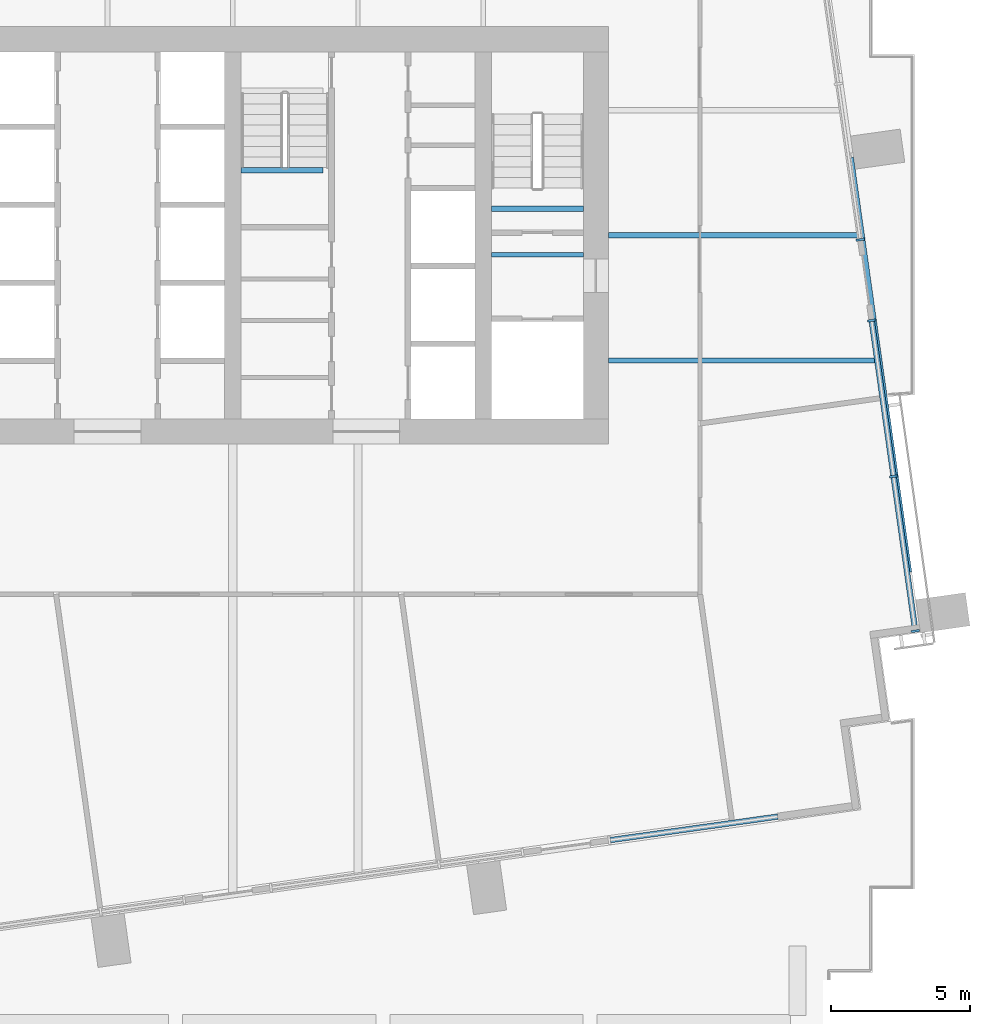
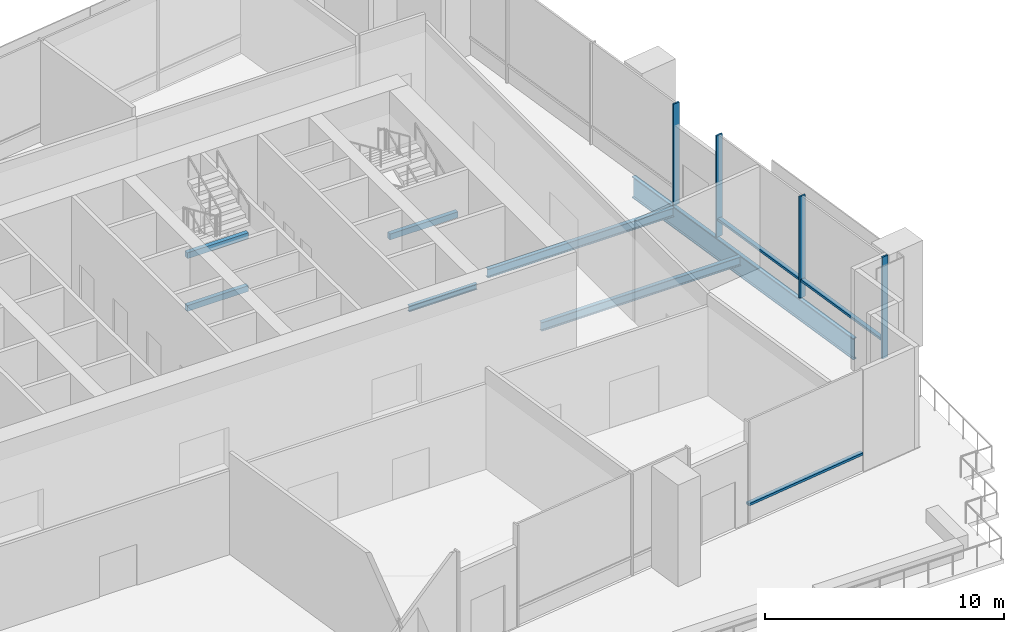
# One storey, part 3 of 17: 7 beams, 7 members, 3 elements without a shape of their own.
"""IFC4 building model written with IfcOpenShell, lengths in metres."""

from ifc_helpers import new_model, si_unit, direction, frame, origin, origin_2d, place, context, subcontext, project, spatial, rectangle, i_section, extrude, material, layer, layer_set, material_profile, profile_set, type_object, element, aggregate, save


model = new_model("IFC4")

# Units and contexts
model_context = context("Model", 3, precision=1e-05, world=origin(), true_north=direction((0.0, 1.0)))
body_context = subcontext(model_context, "Body", "Model", "MODEL_VIEW")
ifc_project = project(units=[si_unit("LENGTHUNIT", "METRE"), si_unit("AREAUNIT", "SQUARE_METRE"), si_unit("VOLUMEUNIT", "CUBIC_METRE"), si_unit("PLANEANGLEUNIT", "RADIAN"), si_unit("MASSUNIT", "GRAM", prefix="KILO")], contexts=[model_context])

# Site, building, storey
site_placement = place(None, origin())
site = spatial("IfcSite", under=ifc_project, at=site_placement, CompositionType="ELEMENT")
building_placement = place(site_placement, origin())
building = spatial("IfcBuilding", under=site, at=building_placement, Name="Rattan Terrace Tower", CompositionType="ELEMENT")
storey_placement = place(building_placement, frame((0.0, 0.0, 163.10009765625)))
storey = spatial("IfcBuildingStorey", under=building, at=storey_placement, Name="L37", CompositionType="ELEMENT", Elevation=163.10009765625)

# Beams
ifc_material_1 = material(Name="Concrete C40/50", Category="concrete")
ifc_material_profile_1 = material_profile(ifc_material_1, rectangle(XDim=0.199951171875, YDim=0.300048828125, at=origin_2d()), Name="RC 200x300")
ifc_profile_set_1 = profile_set([ifc_material_profile_1], Name="Concrete C40/50")
beam_type_1 = type_object("IfcBeamType", Name="Core landing beam RC 200x300", PredefinedType="BEAM", material=ifc_profile_set_1)
beam_1_placement = place(storey_placement, frame((13.800048828125, 0.949951171875, 2.349853515625), z_axis=(1.0, 0.0, 0.0), x_axis=(0.0, 1.0, 0.0)))
element("IfcBeam", 1, at=beam_1_placement, inside=storey, type_object=beam_type_1, Name="st-S2-L37 landing 2 edge beam", PredefinedType="BEAM", context=body_context, shape_type="SweptSolid", body=[
    extrude(rectangle(XDim=0.199951171875, YDim=0.300048828125, at=origin_2d()), origin(), (0.0, 0.0, 1.0), 3.300048828125),
])
for number, where, z_axis, x_axis, name in (
    (2, (4.800048828125, 2.340087890625, 1.0), (1.0, 0.0, 0.0), (0.0, 1.0, 0.0), "st-S3-L37 landing 1 edge beam"),
    (3, (4.800048828125, 2.340087890625, 3.699951171875), (1.0, 0.0, 0.0), (0.0, 1.0, 0.0), "st-S3-L37 landing 3 edge beam"),
):
    element("IfcBeam", number, at=place(storey_placement, frame(where, z_axis=z_axis, x_axis=x_axis)), inside=storey, type_object=beam_type_1, Name=name, PredefinedType="BEAM", context=body_context, shape_type="SweptSolid", body=[
        extrude(rectangle(XDim=0.199951171875, YDim=0.300048828125, at=origin_2d()), origin(), (0.0, 0.0, 1.0), 2.949951171875),
    ])
ifc_material_2 = material(Name="Steel S460", Category="steel")
ifc_material_profile_2 = material_profile(ifc_material_2, i_section(OverallWidth=0.179931640625, OverallDepth=1.10009765625, WebThickness=0.01611328125, FlangeThickness=0.050048828125, at=origin_2d()), Name="PG 1100x180-16-50")
ifc_profile_set_2 = profile_set([ifc_material_profile_2], Name="Steel S460")
beam_type_2 = type_object("IfcBeamType", Name="Frame edge girder PG 1100x180-16-50", PredefinedType="SPANDREL", material=ifc_profile_set_2)
beam_2_placement = place(storey_placement, frame((28.820068359375, -12.110107421875, -0.75), z_axis=(-0.139203155361, 0.990263844406, 0.0), x_axis=(-0.990263844406, -0.139203155361, 0.0)))
element("IfcBeam", 4, at=beam_2_placement, inside=storey, type_object=beam_type_2, Name="gdr-L37-006", PredefinedType="SPANDREL", context=body_context, shape_type="SweptSolid", body=[
    extrude(i_section(OverallWidth=0.179931640625, OverallDepth=1.10009765625, WebThickness=0.01611328125, FlangeThickness=0.050048828125, at=origin_2d()), origin(), (0.0, 0.0, 1.0), 15.056640625),
])
ifc_material_3 = material(Name="Steel S355", Category="steel")
ifc_material_profile_3 = material_profile(ifc_material_3, i_section(OverallWidth=0.14990234375, OverallDepth=0.300048828125, WebThickness=0.007080078125, FlangeThickness=0.0107421875, FilletRadius=0.014892578125, at=origin_2d()), Name="IPE 300")
ifc_profile_set_3 = profile_set([ifc_material_profile_3], Name="Steel S355")
beam_type_3 = type_object("IfcBeamType", Name="Frame floor beam IPE 300", PredefinedType="JOIST", material=ifc_profile_set_3)
beam_3_placement = place(storey_placement, frame((13.800048828125, -0.695068359375, -0.35009765625), z_axis=(1.0, 0.0, 0.0), x_axis=(0.0, 1.0, 0.0)))
element("IfcBeam", 5, at=beam_3_placement, inside=storey, type_object=beam_type_3, Name="bm-L37-002", PredefinedType="JOIST", context=body_context, shape_type="SweptSolid", body=[
    extrude(i_section(OverallWidth=0.14990234375, OverallDepth=0.300048828125, WebThickness=0.007080078125, FlangeThickness=0.0107421875, FilletRadius=0.014892578125, at=origin_2d()), origin(), (0.0, 0.0, 1.0), 3.300048828125),
])
ifc_material_4 = material(Name="Steel S355", Category="steel")
ifc_material_profile_4 = material_profile(ifc_material_4, i_section(OverallWidth=0.18994140625, OverallDepth=0.449951171875, WebThickness=0.009521484375, FlangeThickness=0.0146484375, FilletRadius=0.02099609375, at=origin_2d()), Name="IPE 450")
ifc_profile_set_4 = profile_set([ifc_material_profile_4], Name="Steel S355")
beam_type_4 = type_object("IfcBeamType", Name="Frame floor beam IPE 450", PredefinedType="JOIST", material=ifc_profile_set_4)
beam_4_placement = place(storey_placement, frame((18.0, -4.5, -0.425048828125), z_axis=(1.0, 0.0, 0.0), x_axis=(0.0, 1.0, 0.0)))
element("IfcBeam", 6, at=beam_4_placement, inside=storey, type_object=beam_type_4, Name="bm-L37-009", PredefinedType="JOIST", context=body_context, shape_type="SweptSolid", body=[
    extrude(i_section(OverallWidth=0.18994140625, OverallDepth=0.449951171875, WebThickness=0.009521484375, FlangeThickness=0.0146484375, FilletRadius=0.02099609375, at=origin_2d()), origin(), (0.0, 0.0, 1.0), 9.64599609375),
])
beam_5_placement = place(storey_placement, frame((18.0, 0.0, -0.425048828125), z_axis=(1.0, 0.0, 0.0), x_axis=(0.0, 1.0, 0.0)))
element("IfcBeam", 7, at=beam_5_placement, inside=storey, type_object=beam_type_4, Name="bm-L37-011", PredefinedType="JOIST", context=body_context, shape_type="SweptSolid", body=[
    extrude(i_section(OverallWidth=0.18994140625, OverallDepth=0.449951171875, WebThickness=0.009521484375, FlangeThickness=0.0146484375, FilletRadius=0.02099609375, at=origin_2d()), origin(), (0.0, 0.0, 1.0), 9.012939453125),
])

# Curtain wall, members
ifc_material_5 = material(Name="Steel fins, aluminium and glass", Category="steel")
ifc_layer = layer(ifc_material_5, 0.300048828125)
ifc_layer_set = layer_set([ifc_layer], Name="Sky Lobby Stick Curtain Wall")
curtain_wall_type = type_object("IfcCurtainWallType", Name="Sky Lobby Stick Curtain Wall", PredefinedType="NOTDEFINED", material=ifc_layer_set)
curtain_wall_1_placement = place(storey_placement, origin())
curtain_wall_1 = element("IfcCurtainWall", 8, at=curtain_wall_1_placement, inside=storey, type_object=curtain_wall_type, Name="Sky lobby curtain wall L37-1", PredefinedType="NOTDEFINED")
ifc_material_6 = material(Name="Steel S355", Category="steel")
ifc_material_profile_5 = material_profile(ifc_material_6, rectangle(XDim=0.080078125, YDim=0.300048828125, at=origin_2d()), Name="Steel S355 80x300")
ifc_profile_set_5 = profile_set([ifc_material_profile_5], Name="Steel S355")
member_type_1 = type_object("IfcMemberType", Name="Sky Lobby CW Fin 80x300", PredefinedType="MULLION", material=ifc_profile_set_5)
member_1_placement = place(storey_placement, frame((29.035888671875, -14.223388671875, 0.0), z_axis=(0.0, 0.0, 1.0), x_axis=(-0.139190856006, 0.99026557327, 0.0)))
member_1 = element("IfcMember", 9, at=member_1_placement, type_object=member_type_1, Name="Mullion cwl-L37-001.1", PredefinedType="MULLION", context=body_context, shape_type="SweptSolid", body=[
    extrude(rectangle(XDim=0.080078125, YDim=0.300048828125, at=origin_2d()), origin(), (0.0, 0.0, 1.0), 5.199951171875),
])
member_2_placement = place(storey_placement, frame((28.254150390625, -8.6630859375, 0.0), z_axis=(0.0, 0.0, 1.0), x_axis=(-0.139190856006, 0.99026557327, 0.0)))
member_2 = element("IfcMember", 10, at=member_2_placement, type_object=member_type_1, Name="Mullion cwl-L37-001.2", PredefinedType="MULLION", context=body_context, shape_type="SweptSolid", body=[
    extrude(rectangle(XDim=0.080078125, YDim=0.300048828125, at=origin_2d()), origin(), (0.0, 0.0, 1.0), 5.199951171875),
])
member_3_placement = place(storey_placement, frame((27.466552734375, -3.058349609375, 0.0), z_axis=(0.0, 0.0, 1.0), x_axis=(-0.139190856006, 0.99026557327, 0.0)))
member_3 = element("IfcMember", 11, at=member_3_placement, type_object=member_type_1, Name="Mullion cwl-L37-001.3", PredefinedType="MULLION", context=body_context, shape_type="SweptSolid", body=[
    extrude(rectangle(XDim=0.080078125, YDim=0.300048828125, at=origin_2d()), origin(), (0.0, 0.0, 1.0), 5.199951171875),
])

# Curtain wall, member
curtain_wall_2_placement = place(storey_placement, origin())
curtain_wall_2 = element("IfcCurtainWall", 12, at=curtain_wall_2_placement, inside=storey, type_object=curtain_wall_type, Name="Sky lobby curtain wall L37-2", PredefinedType="NOTDEFINED")
member_4_placement = place(storey_placement, frame((27.05859375, -0.15673828125, 0.0), z_axis=(0.0, 0.0, 1.0), x_axis=(-0.139190856006, 0.99026557327, 0.0)))
member_4 = element("IfcMember", 13, at=member_4_placement, type_object=member_type_1, Name="Mullion cwl-L37-002.1", PredefinedType="MULLION", context=body_context, shape_type="SweptSolid", body=[
    extrude(rectangle(XDim=0.080078125, YDim=0.300048828125, at=origin_2d()), origin(), (0.0, 0.0, 1.0), 5.199951171875),
])
aggregate(curtain_wall_2, [member_4])

# Member
ifc_material_7 = material(Name="Aluminium", Category="aluminium")
ifc_material_profile_6 = material_profile(ifc_material_7, rectangle(XDim=0.199951171875, YDim=0.1201171875, at=origin_2d()), Name="Aluminium 200x120")
ifc_profile_set_6 = profile_set([ifc_material_profile_6], Name="Aluminium")
member_type_2 = type_object("IfcMemberType", Name="Sky Lobby CW Transom 200x120", PredefinedType="USERDEFINED", material=ifc_profile_set_6)
member_5_placement = place(storey_placement, frame((29.0302734375, -14.183837890625, 0.89990234375), z_axis=(-0.139210225227, 0.990262850556, 0.0), x_axis=(-0.990262850556, -0.139210225227, 0.0)))
member_5 = element("IfcMember", 14, at=member_5_placement, type_object=member_type_2, Name="Transom cwl-L37-001.1", ObjectType="TRANSOM", PredefinedType="USERDEFINED", context=body_context, shape_type="SweptSolid", body=[
    extrude(rectangle(XDim=0.199951171875, YDim=0.1201171875, at=origin_2d()), origin(), (0.0, 0.0, 1.0), 5.534912109375),
])

member_6_placement = place(storey_placement, frame((28.248779296875, -8.62353515625, 0.89990234375), z_axis=(-0.139221982545, 0.990261197653, 0.0), x_axis=(-0.990261197653, -0.139221982545, 0.0)))
member_6 = element("IfcMember", 15, at=member_6_placement, type_object=member_type_2, Name="Transom cwl-L37-001.2", ObjectType="TRANSOM", PredefinedType="USERDEFINED", context=body_context, shape_type="SweptSolid", body=[
    extrude(rectangle(XDim=0.199951171875, YDim=0.1201171875, at=origin_2d()), origin(), (0.0, 0.0, 1.0), 5.580078125),
])

aggregate(curtain_wall_1, [member_1, member_2, member_3, member_5, member_6])

# Curtain wall, member
curtain_wall_3_placement = place(storey_placement, origin())
curtain_wall_3 = element("IfcCurtainWall", 16, at=curtain_wall_3_placement, inside=storey, type_object=curtain_wall_type, Name="Sky lobby curtain wall L37-9", PredefinedType="NOTDEFINED")
member_7_placement = place(storey_placement, frame((18.075927734375, -21.737060546875, 0.89990234375), z_axis=(0.990270356523, 0.139156821581, 0.0), x_axis=(-0.139156821581, 0.990270356523, 0.0)))
member_7 = element("IfcMember", 17, at=member_7_placement, type_object=member_type_2, Name="Transom cwl-L37-009.1", ObjectType="TRANSOM", PredefinedType="USERDEFINED", context=body_context, shape_type="SweptSolid", body=[
    extrude(rectangle(XDim=0.199951171875, YDim=0.1201171875, at=origin_2d()), origin(), (0.0, 0.0, 1.0), 6.068603515625),
])
aggregate(curtain_wall_3, [member_7])

save(model, "model.ifc")
